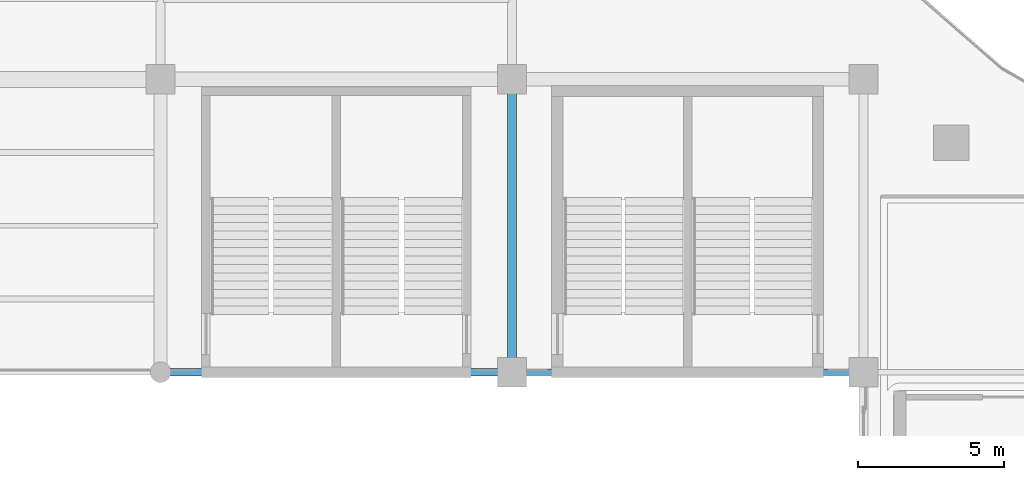
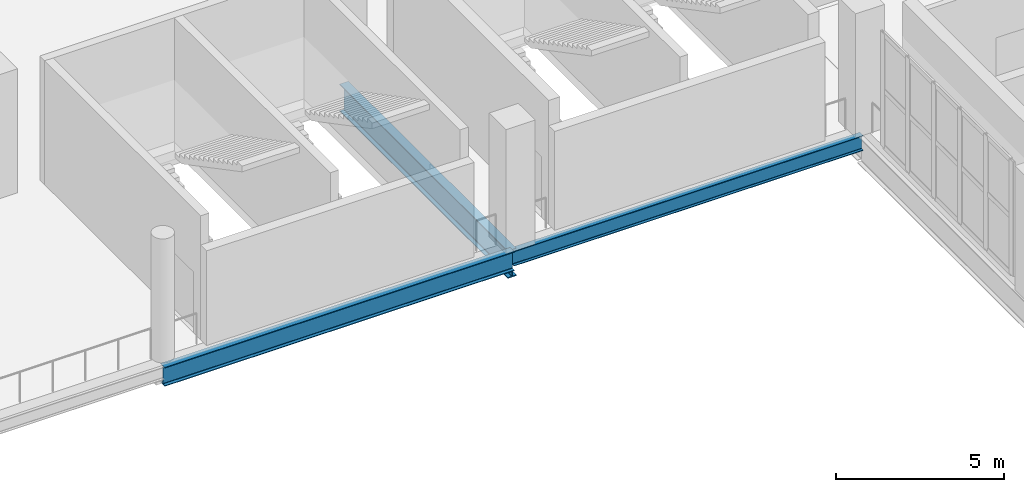
# One storey, part 29 of 108: 3 beams.
"""IFC4 building model written with IfcOpenShell, lengths in metres."""

import ifcopenshell
import ifcopenshell.guid

model = None  # the IFC model being written
_history = None  # IfcOwnerHistory: only IFC2X3 demands one
_inside = {}  # id of a spatial element -> (the spatial element, [elements in it])
_under = {}  # id of a project, library or spatial element -> (it, [spatial elements below it])
_declared = {}  # id of a project -> (the project, [libraries it declares])
_typed = {}  # id of a type object -> (the type object, [elements of that type])
_made_of = {}  # id of a material, layer set ... -> (it, [elements and type objects made of it])


def new_model(schema):
    """Start an empty IFC model of exactly this schema.

    Asked for "IFC4X3", IfcOpenShell would pick the latest addendum, in which some entities
    have other attributes; the version numbers below select the first issue.
    IFC2X3 requires an IfcOwnerHistory on every rooted entity: one is made here for all.
    """
    global model, _history
    if schema == "IFC4X3":
        model = ifcopenshell.file(schema_version=(4, 3, 0, 0))
    else:
        model = ifcopenshell.file(schema=schema)
    _inside.clear()
    _under.clear()
    _declared.clear()
    _typed.clear()
    _made_of.clear()
    _history = None
    if model.schema == "IFC2X3":
        org = make("IfcOrganization", Name="unknown")
        user = make(
            "IfcPersonAndOrganization",
            ThePerson=make("IfcPerson", FamilyName="unknown"),
            TheOrganization=org,
        )
        app = make(
            "IfcApplication",
            ApplicationDeveloper=org,
            Version="unknown",
            ApplicationFullName="unknown",
            ApplicationIdentifier="unknown",
        )
        _history = make(
            "IfcOwnerHistory",
            OwningUser=user,
            OwningApplication=app,
            ChangeAction="ADDED",
            CreationDate=0,
        )
    return model


def make(cls, **values):
    """One entity of the class cls with the attributes given. An attribute that is None is left unset."""
    return model.create_entity(
        cls, **{name: value for name, value in values.items() if value is not None}
    )


def rooted(cls, **values):
    """An entity with a GlobalId (a new one), such as an element, a storey or a relation."""
    return make(cls, GlobalId=ifcopenshell.guid.new(), OwnerHistory=_history, **values)


def si_unit(unit_type, name, prefix=None):
    """IfcSIUnit, for example si_unit("LENGTHUNIT", "METRE", prefix="MILLI")."""
    return make("IfcSIUnit", UnitType=unit_type, Prefix=prefix, Name=name)


def assignment(units):
    """IfcUnitAssignment: the units of a project."""
    return None if units is None else make("IfcUnitAssignment", Units=units)


def point(xyz):
    """IfcCartesianPoint."""
    return None if xyz is None else make("IfcCartesianPoint", Coordinates=xyz)


def direction(xyz):
    """IfcDirection."""
    return None if xyz is None else make("IfcDirection", DirectionRatios=xyz)


def frame(location, z_axis=None, x_axis=None):
    """IfcAxis2Placement3D, a coordinate frame: its origin and axes. An axis left out is left unset."""
    return make(
        "IfcAxis2Placement3D",
        Location=point(location),
        Axis=direction(z_axis),
        RefDirection=direction(x_axis),
    )


def frame_2d(location, x_axis=None):
    """IfcAxis2Placement2D, a coordinate frame in the plane: its origin and x axis."""
    return make(
        "IfcAxis2Placement2D", Location=point(location), RefDirection=direction(x_axis)
    )


def origin():
    """The frame at (0, 0, 0) with its axes left unset."""
    return frame((0.0, 0.0, 0.0))


def origin_2d():
    """The frame at (0, 0) in the plane with its x axis left unset."""
    return frame_2d((0.0, 0.0))


def place(relative_to, where):
    """IfcLocalPlacement: puts the frame where relative to a parent placement (None: the world)."""
    return make(
        "IfcLocalPlacement", PlacementRelTo=relative_to, RelativePlacement=where
    )


def context(
    kind, dimensions, precision=None, world=None, true_north=None, identifier=None
):
    """IfcGeometricRepresentationContext, for example the 3D "Model" context."""
    return make(
        "IfcGeometricRepresentationContext",
        ContextIdentifier=identifier,
        ContextType=kind,
        CoordinateSpaceDimension=dimensions,
        Precision=precision,
        WorldCoordinateSystem=world,
        TrueNorth=true_north,
    )


def subcontext(parent, identifier, kind, view, scale=None):
    """IfcGeometricRepresentationSubContext, for example "Body" below "Model"."""
    return make(
        "IfcGeometricRepresentationSubContext",
        ContextIdentifier=identifier,
        ContextType=kind,
        ParentContext=parent,
        TargetScale=scale,
        TargetView=view,
    )


def project(units=None, contexts=None):
    """IfcProject with its units and contexts."""
    return rooted(
        "IfcProject",
        Name="project",
        RepresentationContexts=contexts,
        UnitsInContext=assignment(units),
    )


def spatial(cls, under=None, at=None, **own):
    """A site, building, storey or space (cls), placed at a placement, below another one or the project."""
    s = rooted(cls, ObjectPlacement=at, **own)
    if under is not None:
        _under.setdefault(under.id(), (under, []))[1].append(s)
    return s


def profile(cls, at=None, kind="AREA", **sizes):
    """A parametric profile (cls). Its sizes go by their IFC names, for example OverallWidth=200.0."""
    return make(cls, ProfileType=kind, Position=at, **sizes)


def i_section(**sizes):
    """IfcIShapeProfileDef."""
    return profile("IfcIShapeProfileDef", **sizes)


def extrude(swept, where, along, depth):
    """IfcExtrudedAreaSolid: the profile swept, set in the frame where, extruded along a direction by depth."""
    return make(
        "IfcExtrudedAreaSolid",
        SweptArea=swept,
        Position=where,
        ExtrudedDirection=direction(along),
        Depth=depth,
    )


def shape(context_of_items, identifier, shape_type, items):
    """IfcShapeRepresentation: the items that make up one representation, for example the "Body"."""
    return make(
        "IfcShapeRepresentation",
        ContextOfItems=context_of_items,
        RepresentationIdentifier=identifier,
        RepresentationType=shape_type,
        Items=items,
    )


def material(Name=None, Category=None):
    """IfcMaterial."""
    return make("IfcMaterial", Name=Name, Category=Category)


def material_profile(
    of_material, cross_section, Name=None, Category=None, Priority=None
):
    """IfcMaterialProfile: a cross section and its material."""
    return make(
        "IfcMaterialProfile",
        Name=Name,
        Material=of_material,
        Profile=cross_section,
        Priority=Priority,
        Category=Category,
    )


def profile_set(profiles, Name=None, composite=None):
    """IfcMaterialProfileSet."""
    return make(
        "IfcMaterialProfileSet",
        Name=Name,
        MaterialProfiles=profiles,
        CompositeProfile=composite,
    )


def made_of(thing, what):
    """Note that an element or type object is made of a material, layer set ...; save() writes the relation."""
    if what is not None:
        _made_of.setdefault(what.id(), (what, []))[1].append(thing)
    return thing


def type_object(cls, material=None, **own):
    """A type object (cls), such as IfcWallType, which elements share."""
    return made_of(rooted(cls, **own), material)


def element(
    cls,
    number,
    at=None,
    inside=None,
    cuts=None,
    type_object=None,
    material=None,
    context=None,
    identifier="Body",
    shape_type=None,
    held_by="IfcProductDefinitionShape",
    body=None,
    shapes=None,
    **own,
):
    """One element of the class cls, such as IfcWall. Its Tag is "e" and its number.

    at: its placement. inside: the storey or other place that contains it. cuts: it is an
    opening in that element (IfcRelVoidsElement). A single representation is given by context,
    identifier, shape_type and body (its items); several are given by shapes. held_by: the class
    of the entity that holds the representations. save() writes the other relations.
    """
    e = rooted(cls, Tag="e%d" % number, ObjectPlacement=at, **own)
    if body is not None:
        shapes = [shape(context, identifier, shape_type, body)]
    if shapes is not None:
        e.Representation = make(held_by, Representations=shapes)
    if inside is not None:
        _inside.setdefault(inside.id(), (inside, []))[1].append(e)
    if cuts is not None:
        rooted(
            "IfcRelVoidsElement", RelatingBuildingElement=cuts, RelatedOpeningElement=e
        )
    if type_object is not None:
        _typed.setdefault(type_object.id(), (type_object, []))[1].append(e)
    return made_of(e, material)


def aggregate(whole, parts):
    """IfcRelAggregates: a whole, such as a stair, and the parts it consists of."""
    return rooted("IfcRelAggregates", RelatingObject=whole, RelatedObjects=parts)


def save(model, path):
    """Write the relations noted so far, then the file.

    IfcRelAggregates (storeys below a building ...), IfcRelContainedInSpatialStructure (elements
    in a storey), IfcRelDefinesByType, IfcRelAssociatesMaterial and IfcRelDeclares: one each for
    every whole, place, type object, material and project.
    """
    for whole, parts in _under.values():
        aggregate(whole, parts)
    for where, things in _inside.values():
        rooted(
            "IfcRelContainedInSpatialStructure",
            RelatedElements=things,
            RelatingStructure=where,
        )
    for kind, things in _typed.values():
        rooted("IfcRelDefinesByType", RelatedObjects=things, RelatingType=kind)
    for what, things in _made_of.values():
        rooted("IfcRelAssociatesMaterial", RelatedObjects=things, RelatingMaterial=what)
    for by, libraries in _declared.values():
        rooted("IfcRelDeclares", RelatingContext=by, RelatedDefinitions=libraries)
    model.write(path)


model = new_model("IFC4")

# Units and contexts
model_context = context("Model", 3, precision=1e-05, world=origin(), true_north=direction((0.0, 1.0)))
body_context = subcontext(model_context, "Body", "Model", "MODEL_VIEW")
ifc_project = project(units=[si_unit("LENGTHUNIT", "METRE"), si_unit("AREAUNIT", "SQUARE_METRE"), si_unit("VOLUMEUNIT", "CUBIC_METRE"), si_unit("PLANEANGLEUNIT", "RADIAN"), si_unit("MASSUNIT", "GRAM", prefix="KILO")], contexts=[model_context])

# Site, building, storey
site_placement = place(None, origin())
site = spatial("IfcSite", under=ifc_project, at=site_placement, CompositionType="ELEMENT")
building_placement = place(site_placement, origin())
building = spatial("IfcBuilding", under=site, at=building_placement, Name="Brinegate Civic Arena", CompositionType="ELEMENT")
storey_placement = place(building_placement, frame((0.0, 0.0, 10.199951171875)))
storey = spatial("IfcBuildingStorey", under=building, at=storey_placement, Name="L02", CompositionType="ELEMENT", Elevation=10.199951171875)

# Beams
ifc_material = material(Name="Steel S355", Category="steel")
ifc_material_profile_1 = material_profile(ifc_material, i_section(OverallWidth=0.300048828125, OverallDepth=1.0, WebThickness=0.01904296875, FlangeThickness=0.031982421875, FilletRadius=0.02392578125, at=origin_2d()), Name="W1000X321")
ifc_profile_set_1 = profile_set([ifc_material_profile_1], Name="Steel S355")
beam_type_1 = type_object("IfcBeamType", Name="GIRDER-W1000X321", PredefinedType="BEAM", material=ifc_profile_set_1)
beam_1_placement = place(storey_placement, frame((72.0, 10.0, -0.829833984375), z_axis=(0.0, 1.0, 0.0), x_axis=(-1.0, 0.0, 0.0)))
element("IfcBeam", 1, at=beam_1_placement, inside=storey, type_object=beam_type_1, Name="Floor Girder BM-L02-GY-06-01", PredefinedType="BEAM", context=body_context, shape_type="SweptSolid", body=[
    extrude(i_section(OverallWidth=0.300048828125, OverallDepth=1.0, WebThickness=0.01904296875, FlangeThickness=0.031982421875, FilletRadius=0.02392578125, at=origin_2d()), origin(), (0.0, 0.0, 1.0), 10.0),
])
ifc_material_profile_2 = material_profile(ifc_material, i_section(OverallWidth=0.2119140625, OverallDepth=0.5439453125, WebThickness=0.012939453125, FlangeThickness=0.02099609375, FilletRadius=0.01611328125, at=origin_2d()), Name="W530X123")
ifc_profile_set_2 = profile_set([ifc_material_profile_2], Name="Steel S355")
beam_type_2 = type_object("IfcBeamType", Name="SPANDREL-W530X123", PredefinedType="SPANDREL", material=ifc_profile_set_2)
beam_2_placement = place(storey_placement, frame((72.0, 10.0, -0.60205078125), z_axis=(1.0, 0.0, 0.0), x_axis=(0.0, 1.0, 0.0)))
element("IfcBeam", 2, at=beam_2_placement, inside=storey, type_object=beam_type_2, Name="Floor Girder BM-L02-GX-06-01", PredefinedType="SPANDREL", context=body_context, shape_type="SweptSolid", body=[
    extrude(i_section(OverallWidth=0.2119140625, OverallDepth=0.5439453125, WebThickness=0.012939453125, FlangeThickness=0.02099609375, FilletRadius=0.01611328125, at=origin_2d()), origin(), (0.0, 0.0, 1.0), 12.0),
])
ifc_material_profile_3 = material_profile(ifc_material, i_section(OverallWidth=0.256103515625, OverallDepth=0.693115234375, WebThickness=0.014892578125, FlangeThickness=0.02392578125, FilletRadius=0.01806640625, at=origin_2d()), Name="W690X170")
ifc_profile_set_3 = profile_set([ifc_material_profile_3], Name="Steel S355")
beam_type_3 = type_object("IfcBeamType", Name="SPANDREL-W690X170", PredefinedType="SPANDREL", material=ifc_profile_set_3)
beam_3_placement = place(storey_placement, frame((60.0, 10.0, -0.676025390625), z_axis=(1.0, 0.0, 0.0), x_axis=(0.0, 1.0, 0.0)))
element("IfcBeam", 3, at=beam_3_placement, inside=storey, type_object=beam_type_3, Name="Floor Girder BM-L02-GX-05-01", PredefinedType="SPANDREL", context=body_context, shape_type="SweptSolid", body=[
    extrude(i_section(OverallWidth=0.256103515625, OverallDepth=0.693115234375, WebThickness=0.014892578125, FlangeThickness=0.02392578125, FilletRadius=0.01806640625, at=origin_2d()), origin(), (0.0, 0.0, 1.0), 12.0),
])

save(model, "model.ifc")
